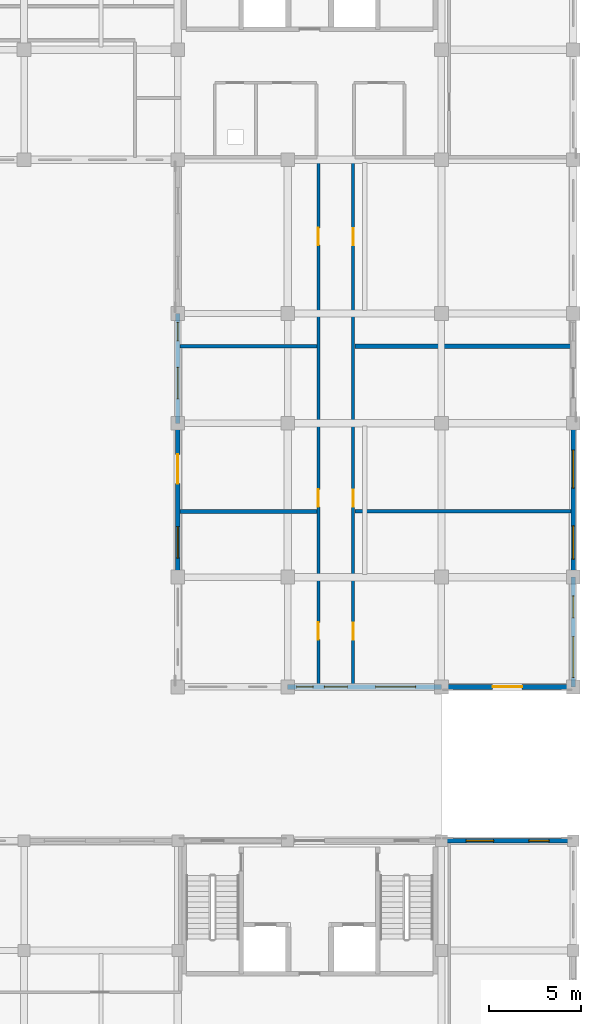
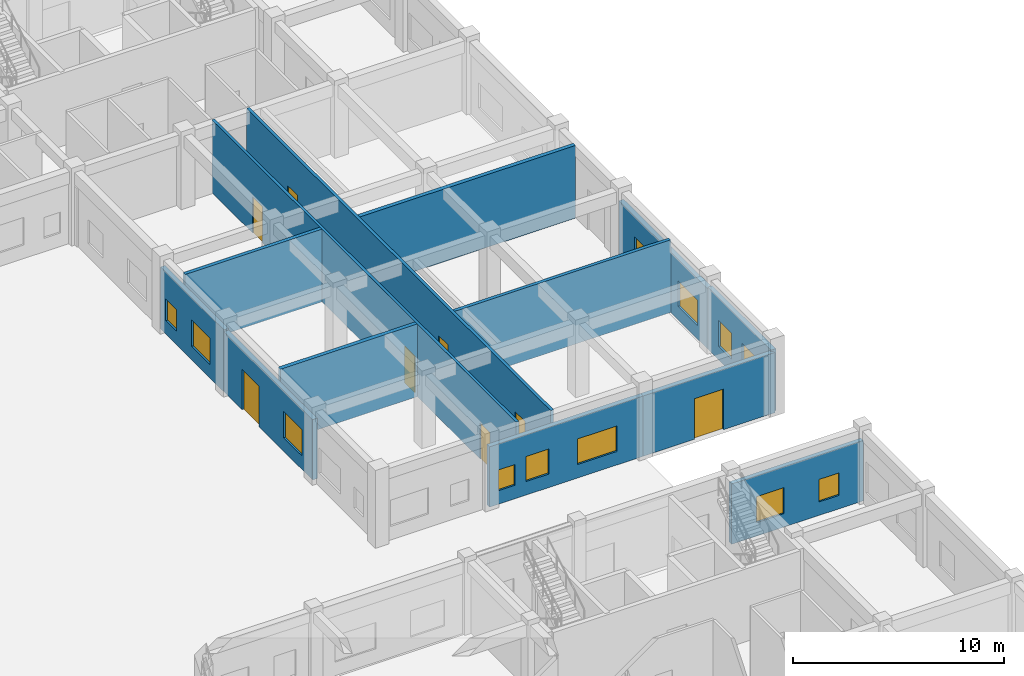
# One storey, part 46 of 67: 13 walls, 12 windows, 8 doors, 20 openings.
"""IFC4 building model written with IfcOpenShell, lengths in metres."""

from ifc_helpers import new_model, si_unit, direction, frame, frame_2d, origin, place, context, subcontext, project, spatial, rectangle, extrude, material, layer, layer_set, type_object, element, fill, save


model = new_model("IFC4")

# Units and contexts
model_context = context("Model", 3, precision=1e-05, world=origin(), true_north=direction((0.0, 1.0)))
body_context = subcontext(model_context, "Body", "Model", "MODEL_VIEW")
ifc_project = project(units=[si_unit("LENGTHUNIT", "METRE"), si_unit("AREAUNIT", "SQUARE_METRE"), si_unit("VOLUMEUNIT", "CUBIC_METRE"), si_unit("PLANEANGLEUNIT", "RADIAN"), si_unit("MASSUNIT", "GRAM", prefix="KILO"), si_unit("THERMODYNAMICTEMPERATUREUNIT", "KELVIN")], contexts=[model_context])

# Site, building, storey
site_placement = place(None, origin())
site = spatial("IfcSite", under=ifc_project, at=site_placement, CompositionType="ELEMENT")
building_placement = place(site_placement, origin())
building = spatial("IfcBuilding", under=site, at=building_placement, Name="Thalorik Housing Commons", CompositionType="ELEMENT")
storey_placement = place(building_placement, origin())
storey = spatial("IfcBuildingStorey", under=building, at=storey_placement, Name="L00", CompositionType="ELEMENT", Elevation=0.0)

# Wall, openings, doors
ifc_material_1 = material(Name="Masonry fire-rated corridor wall", Category="masonry")
ifc_layer_1 = layer(ifc_material_1, 0.14990234375, Name="Masonry fire-rated corridor wall", Category="masonry")
ifc_layer_set_1 = layer_set([ifc_layer_1], Name="Masonry fire-rated corridor wall")
wall_type_1 = type_object("IfcWallType", Name="ARC-WAL-CORR-150", PredefinedType="PARTITIONING", material=ifc_layer_set_1)
wall_1_placement = place(storey_placement, frame((160.080078125, 80.529541015625, 0.0), z_axis=(0.0, 0.0, 1.0), x_axis=(0.0, 1.0, 0.0)))
wall_1 = element("IfcWall", 1, at=wall_1_placement, inside=storey, type_object=wall_type_1, Name="L00 Block B E Corridor Wall 1", PredefinedType="PARTITIONING", context=body_context, shape_type="SweptSolid", body=[
    extrude(rectangle(XDim=28.810546875, YDim=0.14990234375, at=frame_2d((14.4052734375, 0.0))), origin(), (0.0, 0.0, 1.0), 4.199951171875),
])
opening_1_placement = place(wall_1_placement, frame((2.452880859375, 0.0, 0.0)))
opening_1 = element("IfcOpeningElement", 2, at=opening_1_placement, cuts=wall_1, Name="Opening ID-1004", PredefinedType="OPENING", context=body_context, shape_type="SweptSolid", body=[
    extrude(rectangle(XDim=0.949951171875, YDim=2.10009765625, at=frame_2d((0.47509765625, 1.050048828125))), frame((0.0, 0.0849609375, 0.0), z_axis=(0.0, -1.0, 0.0), x_axis=(1.0, 0.0, 0.0)), (0.0, 0.0, 1.0), 0.169921875),
])
opening_2_placement = place(wall_1_placement, frame((9.71044921875, 0.0, 0.0)))
opening_2 = element("IfcOpeningElement", 3, at=opening_2_placement, cuts=wall_1, Name="Opening ID-1005", PredefinedType="OPENING", context=body_context, shape_type="SweptSolid", body=[
    extrude(rectangle(XDim=0.949951171875, YDim=2.10009765625, at=frame_2d((0.47509765625, 1.050048828125))), frame((0.0, 0.0849609375, 0.0), z_axis=(0.0, -1.0, 0.0), x_axis=(1.0, 0.0, 0.0)), (0.0, 0.0, 1.0), 0.169921875),
])
opening_3_placement = place(wall_1_placement, frame((24.0029296875, 0.0, 0.0)))
opening_3 = element("IfcOpeningElement", 4, at=opening_3_placement, cuts=wall_1, Name="Opening ID-1006", PredefinedType="OPENING", context=body_context, shape_type="SweptSolid", body=[
    extrude(rectangle(XDim=0.949951171875, YDim=2.10009765625, at=frame_2d((0.47509765625, 1.050048828125))), frame((0.0, 0.0849609375, 0.0), z_axis=(0.0, -1.0, 0.0), x_axis=(1.0, 0.0, 0.0)), (0.0, 0.0, 1.0), 0.169921875),
])
ifc_material_2 = material(Name="Steel S355", Category="steel")
door_type_1 = type_object("IfcDoorType", Name="ARC-DR-FD60-950", OperationType="NOTDEFINED", PredefinedType="DOOR", material=ifc_material_2)
door_1_placement = place(opening_1_placement, origin())
door_1 = element("IfcDoor", 5, at=door_1_placement, inside=storey, type_object=door_type_1, Name="L00 Residents Lounge Entrance Door", OperationType="SINGLE_SWING_LEFT", OverallHeight=2.10009765625, OverallWidth=0.949951171875, PredefinedType="DOOR", context=body_context, shape_type="SweptSolid", body=[
    extrude(rectangle(XDim=0.949951171875, YDim=2.10009765625, at=frame_2d((0.47509765625, 1.050048828125))), frame((0.0, 0.02490234375, 0.0), z_axis=(0.0, -1.0, 0.0), x_axis=(1.0, 0.0, 0.0)), (0.0, 0.0, 1.0), 0.050048828125),
])
fill(opening_1, door_1)
door_2_placement = place(opening_2_placement, origin())
door_2 = element("IfcDoor", 6, at=door_2_placement, inside=storey, type_object=door_type_1, Name="L00 Bicycle Repair Workshop Entrance Door", OperationType="SINGLE_SWING_RIGHT", OverallHeight=2.10009765625, OverallWidth=0.949951171875, PredefinedType="DOOR", context=body_context, shape_type="SweptSolid", body=[
    extrude(rectangle(XDim=0.949951171875, YDim=2.10009765625, at=frame_2d((0.47509765625, 1.050048828125))), frame((0.0, 0.02490234375, 0.0), z_axis=(0.0, -1.0, 0.0), x_axis=(1.0, 0.0, 0.0)), (0.0, 0.0, 1.0), 0.050048828125),
])
fill(opening_2, door_2)
door_3_placement = place(opening_3_placement, origin())
door_3 = element("IfcDoor", 7, at=door_3_placement, inside=storey, type_object=door_type_1, Name="L00 Cooperative Parcel Room Entrance Door", OperationType="SINGLE_SWING_LEFT", OverallHeight=2.10009765625, OverallWidth=0.949951171875, PredefinedType="DOOR", context=body_context, shape_type="SweptSolid", body=[
    extrude(rectangle(XDim=0.949951171875, YDim=2.10009765625, at=frame_2d((0.47509765625, 1.050048828125))), frame((0.0, 0.02490234375, 0.0), z_axis=(0.0, -1.0, 0.0), x_axis=(1.0, 0.0, 0.0)), (0.0, 0.0, 1.0), 0.050048828125),
])
fill(opening_3, door_3)

ifc_layer_2 = layer(ifc_material_1, 0.1650390625, Name="Masonry fire-rated corridor wall", Category="masonry")
ifc_layer_set_2 = layer_set([ifc_layer_2], Name="Masonry fire-rated corridor wall")
wall_type_2 = type_object("IfcWallType", Name="ARC-WAL-CORR-165", PredefinedType="PARTITIONING", material=ifc_layer_set_2)
wall_2_placement = place(storey_placement, frame((161.97998046875, 80.529541015625, 0.0), z_axis=(0.0, 0.0, 1.0), x_axis=(0.0, 1.0, 0.0)))
wall_2 = element("IfcWall", 8, at=wall_2_placement, inside=storey, type_object=wall_type_2, Name="L00 Block B E Corridor Wall 2", PredefinedType="PARTITIONING", context=body_context, shape_type="SweptSolid", body=[
    extrude(rectangle(XDim=28.810546875, YDim=0.1650390625, at=frame_2d((14.4052734375, 0.0))), origin(), (0.0, 0.0, 1.0), 4.199951171875),
])
opening_4_placement = place(wall_2_placement, frame((2.4501953125, 0.0, 0.0)))
opening_4 = element("IfcOpeningElement", 9, at=opening_4_placement, cuts=wall_2, Name="Opening ID-1007", PredefinedType="OPENING", context=body_context, shape_type="SweptSolid", body=[
    extrude(rectangle(XDim=0.919921875, YDim=2.10009765625, at=frame_2d((0.4599609375, 1.050048828125))), frame((0.0, 0.092529296875, 0.0), z_axis=(0.0, -1.0, 0.0), x_axis=(1.0, 0.0, 0.0)), (0.0, 0.0, 1.0), 0.18505859375),
])
opening_5_placement = place(wall_2_placement, frame((9.71044921875, 0.0, 0.0)))
opening_5 = element("IfcOpeningElement", 10, at=opening_5_placement, cuts=wall_2, Name="Opening ID-1008", PredefinedType="OPENING", context=body_context, shape_type="SweptSolid", body=[
    extrude(rectangle(XDim=0.919921875, YDim=2.10009765625, at=frame_2d((0.4599609375, 1.050048828125))), frame((0.0, 0.092529296875, 0.0), z_axis=(0.0, -1.0, 0.0), x_axis=(1.0, 0.0, 0.0)), (0.0, 0.0, 1.0), 0.18505859375),
])
opening_6_placement = place(wall_2_placement, frame((23.9970703125, 0.0, 0.0)))
opening_6 = element("IfcOpeningElement", 11, at=opening_6_placement, cuts=wall_2, Name="Opening ID-1009", PredefinedType="OPENING", context=body_context, shape_type="SweptSolid", body=[
    extrude(rectangle(XDim=0.919921875, YDim=2.10009765625, at=frame_2d((0.4599609375, 1.050048828125))), frame((0.0, 0.092529296875, 0.0), z_axis=(0.0, -1.0, 0.0), x_axis=(1.0, 0.0, 0.0)), (0.0, 0.0, 1.0), 0.18505859375),
])
ifc_material_3 = material(Name="Solid core hardwood timber", Category="wood")
door_type_2 = type_object("IfcDoorType", Name="ARC-DR-FD30-920", OperationType="NOTDEFINED", PredefinedType="DOOR", material=ifc_material_3)
door_4_placement = place(opening_4_placement, origin())
door_4 = element("IfcDoor", 12, at=door_4_placement, inside=storey, type_object=door_type_2, Name="L00 Residents Cooperative Library Door", OperationType="SINGLE_SWING_RIGHT", OverallHeight=2.10009765625, OverallWidth=0.919921875, PredefinedType="DOOR", context=body_context, shape_type="SweptSolid", body=[
    extrude(rectangle(XDim=0.919921875, YDim=2.10009765625, at=frame_2d((0.4599609375, 1.050048828125))), frame((0.0, 0.02490234375, 0.0), z_axis=(0.0, -1.0, 0.0), x_axis=(1.0, 0.0, 0.0)), (0.0, 0.0, 1.0), 0.050048828125),
])
fill(opening_4, door_4)
door_5_placement = place(opening_5_placement, origin())
door_5 = element("IfcDoor", 13, at=door_5_placement, inside=storey, type_object=door_type_2, Name="L00 Community Youth Studio Door", OperationType="SINGLE_SWING_LEFT", OverallHeight=2.10009765625, OverallWidth=0.919921875, PredefinedType="DOOR", context=body_context, shape_type="SweptSolid", body=[
    extrude(rectangle(XDim=0.919921875, YDim=2.10009765625, at=frame_2d((0.4599609375, 1.050048828125))), frame((0.0, 0.02490234375, 0.0), z_axis=(0.0, -1.0, 0.0), x_axis=(1.0, 0.0, 0.0)), (0.0, 0.0, 1.0), 0.050048828125),
])
fill(opening_5, door_5)
door_6_placement = place(opening_6_placement, origin())
door_6 = element("IfcDoor", 14, at=door_6_placement, inside=storey, type_object=door_type_2, Name="L00 Senior Day Lounge Door", OperationType="SINGLE_SWING_RIGHT", OverallHeight=2.10009765625, OverallWidth=0.919921875, PredefinedType="DOOR", context=body_context, shape_type="SweptSolid", body=[
    extrude(rectangle(XDim=0.919921875, YDim=2.10009765625, at=frame_2d((0.4599609375, 1.050048828125))), frame((0.0, 0.02490234375, 0.0), z_axis=(0.0, -1.0, 0.0), x_axis=(1.0, 0.0, 0.0)), (0.0, 0.0, 1.0), 0.050048828125),
])
fill(opening_6, door_6)

# Wall, openings, windows
ifc_material_4 = material(Name="White precast concrete C40/50", Category="concrete")
ifc_layer_3 = layer(ifc_material_4, 0.235107421875, Name="White precast concrete C40/50", Category="concrete")
ifc_layer_set_3 = layer_set([ifc_layer_3], Name="White precast concrete C40/50")
wall_type_3 = type_object("IfcWallType", Name="ARC-WAL-EXT-235", PredefinedType="STANDARD", material=ifc_layer_set_3)
wall_3_placement = place(storey_placement, frame((174.0, 72.0, 0.0), z_axis=(0.0, 0.0, 1.0), x_axis=(-1.0, 0.0, 0.0)))
wall_3 = element("IfcWall", 15, at=wall_3_placement, inside=storey, type_object=wall_type_3, Name="L00 Exterior Wall WAL-EXT-L00-D-1122", PredefinedType="STANDARD", context=body_context, shape_type="SweptSolid", body=[
    extrude(rectangle(XDim=7.199951171875, YDim=0.235107421875, at=frame_2d((3.60009765625, 0.0))), origin(), (0.0, 0.0, 1.0), 3.485107421875),
])
opening_7_placement = place(wall_3_placement, frame((1.322509765625, 0.0, 0.780029296875)))
opening_7 = element("IfcOpeningElement", 16, at=opening_7_placement, cuts=wall_3, Name="Opening W-03", PredefinedType="OPENING", context=body_context, shape_type="SweptSolid", body=[
    extrude(rectangle(XDim=1.10009765625, YDim=1.300048828125, at=frame_2d((0.550048828125, 0.64990234375))), frame((0.0, 0.12744140625, 0.0), z_axis=(0.0, -1.0, 0.0), x_axis=(1.0, 0.0, 0.0)), (0.0, 0.0, 1.0), 0.255126953125),
])
opening_8_placement = place(wall_3_placement, frame((4.347412109375, 0.0, 0.780029296875)))
opening_8 = element("IfcOpeningElement", 17, at=opening_8_placement, cuts=wall_3, Name="Opening W-10", PredefinedType="OPENING", context=body_context, shape_type="SweptSolid", body=[
    extrude(rectangle(XDim=1.5, YDim=1.5, at=frame_2d((0.75, 0.75))), frame((0.0, 0.12744140625, 0.0), z_axis=(0.0, -1.0, 0.0), x_axis=(1.0, 0.0, 0.0)), (0.0, 0.0, 1.0), 0.255126953125),
])
ifc_material_5 = material(Name="Anodised aluminium and solar-control low-E glass", Category="aluminium")
window_type_1 = type_object("IfcWindowType", Name="ARC-WIN-03", PartitioningType="SINGLE_PANEL", PredefinedType="WINDOW", material=ifc_material_5)
window_1_placement = place(opening_7_placement, origin())
window_1 = element("IfcWindow", 18, at=window_1_placement, inside=storey, type_object=window_type_1, Name="L00 Facade Window 2067", OverallHeight=1.300048828125, OverallWidth=1.10009765625, PartitioningType="SINGLE_PANEL", PredefinedType="WINDOW", context=body_context, shape_type="SweptSolid", body=[
    extrude(rectangle(XDim=1.10009765625, YDim=1.300048828125, at=frame_2d((0.550048828125, 0.64990234375))), frame((0.0, 0.030029296875, 0.0), z_axis=(0.0, -1.0, 0.0), x_axis=(1.0, 0.0, 0.0)), (0.0, 0.0, 1.0), 0.06005859375),
])
fill(opening_7, window_1)
window_type_2 = type_object("IfcWindowType", Name="ARC-WIN-10", PartitioningType="SINGLE_PANEL", PredefinedType="WINDOW", material=ifc_material_5)
window_2_placement = place(opening_8_placement, origin())
window_2 = element("IfcWindow", 19, at=window_2_placement, inside=storey, type_object=window_type_2, Name="L00 Facade Window 2068", OverallHeight=1.5, OverallWidth=1.5, PartitioningType="SINGLE_PANEL", PredefinedType="WINDOW", context=body_context, shape_type="SweptSolid", body=[
    extrude(rectangle(XDim=1.5, YDim=1.5, at=frame_2d((0.75, 0.75))), frame((0.0, 0.030029296875, 0.0), z_axis=(0.0, -1.0, 0.0), x_axis=(1.0, 0.0, 0.0)), (0.0, 0.0, 1.0), 0.06005859375),
])
fill(opening_8, window_2)

ifc_layer_4 = layer(ifc_material_4, 0.2548828125, Name="White precast concrete C40/50", Category="concrete")
ifc_layer_set_4 = layer_set([ifc_layer_4], Name="White precast concrete C40/50")
wall_type_4 = type_object("IfcWallType", Name="ARC-WAL-EXT-255", PredefinedType="STANDARD", material=ifc_layer_set_4)
wall_4_placement = place(storey_placement, frame((152.39990234375, 100.800048828125, 0.0), z_axis=(0.0, 0.0, 1.0), x_axis=(0.0, -1.0, 0.0)))
wall_4 = element("IfcWall", 20, at=wall_4_placement, inside=storey, type_object=wall_type_4, Name="L00 Exterior Wall WAL-EXT-L00-B-0397", PredefinedType="STANDARD", context=body_context, shape_type="SweptSolid", body=[
    extrude(rectangle(XDim=6.0, YDim=0.2548828125, at=frame_2d((3.0, 0.0))), origin(), (0.0, 0.0, 1.0), 3.5849609375),
])
opening_9_placement = place(wall_4_placement, frame((0.489990234375, 0.0, 0.780029296875)))
opening_9 = element("IfcOpeningElement", 21, at=opening_9_placement, cuts=wall_4, Name="Opening W-02", PredefinedType="OPENING", context=body_context, shape_type="SweptSolid", body=[
    extrude(rectangle(XDim=1.0, YDim=1.25, at=frame_2d((0.5, 0.625))), frame((0.0, 0.137451171875, 0.0), z_axis=(0.0, -1.0, 0.0), x_axis=(1.0, 0.0, 0.0)), (0.0, 0.0, 1.0), 0.27490234375),
])
opening_10_placement = place(wall_4_placement, frame((2.93994140625, 0.0, 0.780029296875)))
opening_10 = element("IfcOpeningElement", 22, at=opening_10_placement, cuts=wall_4, Name="Opening W-56", PredefinedType="OPENING", context=body_context, shape_type="SweptSolid", body=[
    extrude(rectangle(XDim=1.719970703125, YDim=1.52001953125, at=frame_2d((0.85986328125, 0.760009765625))), frame((0.0, 0.137451171875, 0.0), z_axis=(0.0, -1.0, 0.0), x_axis=(1.0, 0.0, 0.0)), (0.0, 0.0, 1.0), 0.27490234375),
])
window_type_3 = type_object("IfcWindowType", Name="ARC-WIN-02", PartitioningType="SINGLE_PANEL", PredefinedType="WINDOW", material=ifc_material_5)
window_3_placement = place(opening_9_placement, origin())
window_3 = element("IfcWindow", 23, at=window_3_placement, inside=storey, type_object=window_type_3, Name="L00 Facade Window 709", OverallHeight=1.25, OverallWidth=1.0, PartitioningType="SINGLE_PANEL", PredefinedType="WINDOW", context=body_context, shape_type="SweptSolid", body=[
    extrude(rectangle(XDim=1.0, YDim=1.25, at=frame_2d((0.5, 0.625))), frame((0.0, 0.030029296875, 0.0), z_axis=(0.0, -1.0, 0.0), x_axis=(1.0, 0.0, 0.0)), (0.0, 0.0, 1.0), 0.06005859375),
])
fill(opening_9, window_3)
window_type_4 = type_object("IfcWindowType", Name="ARC-WIN-56", PartitioningType="DOUBLE_PANEL_VERTICAL", PredefinedType="WINDOW", material=ifc_material_5)
window_4_placement = place(opening_10_placement, origin())
window_4 = element("IfcWindow", 24, at=window_4_placement, inside=storey, type_object=window_type_4, Name="L00 Facade Window 710", OverallHeight=1.52001953125, OverallWidth=1.719970703125, PartitioningType="DOUBLE_PANEL_VERTICAL", PredefinedType="WINDOW", context=body_context, shape_type="SweptSolid", body=[
    extrude(rectangle(XDim=1.719970703125, YDim=1.52001953125, at=frame_2d((0.85986328125, 0.760009765625))), frame((0.0, 0.030029296875, 0.0), z_axis=(0.0, -1.0, 0.0), x_axis=(1.0, 0.0, 0.0)), (0.0, 0.0, 1.0), 0.06005859375),
])
fill(opening_10, window_4)

# Wall, openings, door, window
wall_5_placement = place(storey_placement, frame((152.39990234375, 94.800048828125, 0.0), z_axis=(0.0, 0.0, 1.0), x_axis=(0.0, -1.0, 0.0)))
wall_5 = element("IfcWall", 25, at=wall_5_placement, inside=storey, type_object=wall_type_4, Name="L00 Exterior Wall WAL-EXT-L00-B-0398", PredefinedType="STANDARD", context=body_context, shape_type="SweptSolid", body=[
    extrude(rectangle(XDim=8.400146484375, YDim=0.2548828125, at=frame_2d((4.2001953125, 0.0))), origin(), (0.0, 0.0, 1.0), 3.485107421875),
])
opening_11_placement = place(wall_5_placement, frame((1.699951171875, 0.0, 0.0)))
opening_11 = element("IfcOpeningElement", 26, at=opening_11_placement, cuts=wall_5, Name="Opening ED-0120", PredefinedType="OPENING", context=body_context, shape_type="SweptSolid", body=[
    extrude(rectangle(XDim=1.60009765625, YDim=2.35009765625, at=frame_2d((0.800048828125, 1.175048828125))), frame((0.0, 0.137451171875, 0.0), z_axis=(0.0, -1.0, 0.0), x_axis=(1.0, 0.0, 0.0)), (0.0, 0.0, 1.0), 0.27490234375),
])
opening_12_placement = place(wall_5_placement, frame((5.64990234375, 0.0, 0.780029296875)))
opening_12 = element("IfcOpeningElement", 27, at=opening_12_placement, cuts=wall_5, Name="Opening W-56", PredefinedType="OPENING", context=body_context, shape_type="SweptSolid", body=[
    extrude(rectangle(XDim=1.719970703125, YDim=1.52001953125, at=frame_2d((0.85986328125, 0.760009765625))), frame((0.0, 0.137451171875, 0.0), z_axis=(0.0, -1.0, 0.0), x_axis=(1.0, 0.0, 0.0)), (0.0, 0.0, 1.0), 0.27490234375),
])
ifc_material_6 = material(Name="Anodised aluminium and laminated safety glass", Category="aluminium")
door_type_3 = type_object("IfcDoorType", Name="ARC-DR-EXT-LOB-1600", OperationType="NOTDEFINED", PredefinedType="DOOR", material=ifc_material_6)
door_7_placement = place(opening_11_placement, frame((1.60009765625, 0.0, 0.0), z_axis=(0.0, 0.0, 1.0), x_axis=(-1.0, 0.0, 0.0)))
door_7 = element("IfcDoor", 28, at=door_7_placement, inside=storey, type_object=door_type_3, Name="L00 Block B Courtyard Entrance Door", OperationType="DOUBLE_DOOR_SINGLE_SWING", OverallHeight=2.35009765625, OverallWidth=1.60009765625, PredefinedType="DOOR", context=body_context, shape_type="SweptSolid", body=[
    extrude(rectangle(XDim=1.60009765625, YDim=2.35009765625, at=frame_2d((0.800048828125, 1.175048828125))), frame((0.0, 0.02490234375, 0.0), z_axis=(0.0, -1.0, 0.0), x_axis=(1.0, 0.0, 0.0)), (0.0, 0.0, 1.0), 0.050048828125),
])
fill(opening_11, door_7)
window_5_placement = place(opening_12_placement, origin())
window_5 = element("IfcWindow", 29, at=window_5_placement, inside=storey, type_object=window_type_4, Name="L00 Facade Window 711", OverallHeight=1.52001953125, OverallWidth=1.719970703125, PartitioningType="DOUBLE_PANEL_VERTICAL", PredefinedType="WINDOW", context=body_context, shape_type="SweptSolid", body=[
    extrude(rectangle(XDim=1.719970703125, YDim=1.52001953125, at=frame_2d((0.85986328125, 0.760009765625))), frame((0.0, 0.030029296875, 0.0), z_axis=(0.0, -1.0, 0.0), x_axis=(1.0, 0.0, 0.0)), (0.0, 0.0, 1.0), 0.06005859375),
])
fill(opening_12, window_5)

# Wall, openings, windows
wall_6_placement = place(storey_placement, frame((158.39990234375, 80.39990234375, 0.0), z_axis=(0.0, 0.0, 1.0), x_axis=(1.0, 0.0, 0.0)))
wall_6 = element("IfcWall", 30, at=wall_6_placement, inside=storey, type_object=wall_type_4, Name="L00 Exterior Wall WAL-EXT-L00-B-0401", PredefinedType="STANDARD", context=body_context, shape_type="SweptSolid", body=[
    extrude(rectangle(XDim=8.400146484375, YDim=0.2548828125, at=frame_2d((4.2001953125, 0.0))), origin(), (0.0, 0.0, 1.0), 3.485107421875),
])
opening_13_placement = place(wall_6_placement, frame((0.485107421875, 0.0, 0.780029296875)))
opening_13 = element("IfcOpeningElement", 31, at=opening_13_placement, cuts=wall_6, Name="Opening W-01", PredefinedType="OPENING", context=body_context, shape_type="SweptSolid", body=[
    extrude(rectangle(XDim=0.89990234375, YDim=1.199951171875, at=frame_2d((0.449951171875, 0.60009765625))), frame((0.0, 0.137451171875, 0.0), z_axis=(0.0, -1.0, 0.0), x_axis=(1.0, 0.0, 0.0)), (0.0, 0.0, 1.0), 0.27490234375),
])
opening_14_placement = place(wall_6_placement, frame((2.0048828125, 0.0, 0.780029296875)))
opening_14 = element("IfcOpeningElement", 32, at=opening_14_placement, cuts=wall_6, Name="Opening W-47", PredefinedType="OPENING", context=body_context, shape_type="SweptSolid", body=[
    extrude(rectangle(XDim=1.25, YDim=1.449951171875, at=frame_2d((0.625, 0.72509765625))), frame((0.0, 0.137451171875, 0.0), z_axis=(0.0, -1.0, 0.0), x_axis=(1.0, 0.0, 0.0)), (0.0, 0.0, 1.0), 0.27490234375),
])
opening_15_placement = place(wall_6_placement, frame((4.804931640625, 0.0, 0.780029296875)))
opening_15 = element("IfcOpeningElement", 33, at=opening_15_placement, cuts=wall_6, Name="Opening W-65", PredefinedType="OPENING", context=body_context, shape_type="SweptSolid", body=[
    extrude(rectangle(XDim=2.179931640625, YDim=1.47998046875, at=frame_2d((1.08984375, 0.739990234375))), frame((0.0, 0.137451171875, 0.0), z_axis=(0.0, -1.0, 0.0), x_axis=(1.0, 0.0, 0.0)), (0.0, 0.0, 1.0), 0.27490234375),
])
window_type_5 = type_object("IfcWindowType", Name="ARC-WIN-01", PartitioningType="SINGLE_PANEL", PredefinedType="WINDOW", material=ifc_material_5)
window_6_placement = place(opening_13_placement, origin())
window_6 = element("IfcWindow", 34, at=window_6_placement, inside=storey, type_object=window_type_5, Name="L00 Facade Window 716", OverallHeight=1.199951171875, OverallWidth=0.89990234375, PartitioningType="SINGLE_PANEL", PredefinedType="WINDOW", context=body_context, shape_type="SweptSolid", body=[
    extrude(rectangle(XDim=0.89990234375, YDim=1.199951171875, at=frame_2d((0.449951171875, 0.60009765625))), frame((0.0, 0.030029296875, 0.0), z_axis=(0.0, -1.0, 0.0), x_axis=(1.0, 0.0, 0.0)), (0.0, 0.0, 1.0), 0.06005859375),
])
fill(opening_13, window_6)
window_type_6 = type_object("IfcWindowType", Name="ARC-WIN-47", PartitioningType="SINGLE_PANEL", PredefinedType="WINDOW", material=ifc_material_5)
window_7_placement = place(opening_14_placement, origin())
window_7 = element("IfcWindow", 35, at=window_7_placement, inside=storey, type_object=window_type_6, Name="L00 Facade Window 717", OverallHeight=1.449951171875, OverallWidth=1.25, PartitioningType="SINGLE_PANEL", PredefinedType="WINDOW", context=body_context, shape_type="SweptSolid", body=[
    extrude(rectangle(XDim=1.25, YDim=1.449951171875, at=frame_2d((0.625, 0.72509765625))), frame((0.0, 0.030029296875, 0.0), z_axis=(0.0, -1.0, 0.0), x_axis=(1.0, 0.0, 0.0)), (0.0, 0.0, 1.0), 0.06005859375),
])
fill(opening_14, window_7)
window_type_7 = type_object("IfcWindowType", Name="ARC-WIN-65", PartitioningType="DOUBLE_PANEL_VERTICAL", PredefinedType="WINDOW", material=ifc_material_5)
window_8_placement = place(opening_15_placement, origin())
window_8 = element("IfcWindow", 36, at=window_8_placement, inside=storey, type_object=window_type_7, Name="L00 Facade Window 718", OverallHeight=1.47998046875, OverallWidth=2.179931640625, PartitioningType="DOUBLE_PANEL_VERTICAL", PredefinedType="WINDOW", context=body_context, shape_type="SweptSolid", body=[
    extrude(rectangle(XDim=2.179931640625, YDim=1.47998046875, at=frame_2d((1.08984375, 0.739990234375))), frame((0.0, 0.030029296875, 0.0), z_axis=(0.0, -1.0, 0.0), x_axis=(1.0, 0.0, 0.0)), (0.0, 0.0, 1.0), 0.06005859375),
])
fill(opening_15, window_8)

# Wall, opening, door
wall_7_placement = place(storey_placement, frame((166.800048828125, 80.39990234375, 0.0), z_axis=(0.0, 0.0, 1.0), x_axis=(1.0, 0.0, 0.0)))
wall_7 = element("IfcWall", 37, at=wall_7_placement, inside=storey, type_object=wall_type_4, Name="L00 Exterior Wall WAL-EXT-L00-B-0402", PredefinedType="STANDARD", context=body_context, shape_type="SweptSolid", body=[
    extrude(rectangle(XDim=7.199951171875, YDim=0.2548828125, at=frame_2d((3.60009765625, 0.0))), origin(), (0.0, 0.0, 1.0), 3.485107421875),
])
opening_16_placement = place(wall_7_placement, frame((2.800048828125, 0.0, 0.0)))
opening_16 = element("IfcOpeningElement", 38, at=opening_16_placement, cuts=wall_7, Name="Opening ED-0121", PredefinedType="OPENING", context=body_context, shape_type="SweptSolid", body=[
    extrude(rectangle(XDim=1.60009765625, YDim=2.35009765625, at=frame_2d((0.800048828125, 1.175048828125))), frame((0.0, 0.137451171875, 0.0), z_axis=(0.0, -1.0, 0.0), x_axis=(1.0, 0.0, 0.0)), (0.0, 0.0, 1.0), 0.27490234375),
])
door_8_placement = place(opening_16_placement, frame((1.60009765625, 0.0, 0.0), z_axis=(0.0, 0.0, 1.0), x_axis=(-1.0, 0.0, 0.0)))
door_8 = element("IfcDoor", 39, at=door_8_placement, inside=storey, type_object=door_type_3, Name="L00 Block B Courtyard Entrance Door", OperationType="DOUBLE_DOOR_SINGLE_SWING", OverallHeight=2.35009765625, OverallWidth=1.60009765625, PredefinedType="DOOR", context=body_context, shape_type="SweptSolid", body=[
    extrude(rectangle(XDim=1.60009765625, YDim=2.35009765625, at=frame_2d((0.800048828125, 1.175048828125))), frame((0.0, 0.02490234375, 0.0), z_axis=(0.0, -1.0, 0.0), x_axis=(1.0, 0.0, 0.0)), (0.0, 0.0, 1.0), 0.050048828125),
])
fill(opening_16, door_8)

# Wall, openings, windows
wall_8_placement = place(storey_placement, frame((174.0, 80.39990234375, 0.0), z_axis=(0.0, 0.0, 1.0), x_axis=(0.0, 1.0, 0.0)))
wall_8 = element("IfcWall", 40, at=wall_8_placement, inside=storey, type_object=wall_type_4, Name="L00 Exterior Wall WAL-EXT-L00-B-0403", PredefinedType="STANDARD", context=body_context, shape_type="SweptSolid", body=[
    extrude(rectangle(XDim=6.0, YDim=0.2548828125, at=frame_2d((3.0, 0.0))), origin(), (0.0, 0.0, 1.0), 3.5849609375),
])
opening_17_placement = place(wall_8_placement, frame((0.510009765625, 0.0, 0.780029296875)))
opening_17 = element("IfcOpeningElement", 41, at=opening_17_placement, cuts=wall_8, Name="Opening W-66", PredefinedType="OPENING", context=body_context, shape_type="SweptSolid", body=[
    extrude(rectangle(XDim=2.239990234375, YDim=1.52001953125, at=frame_2d((1.1201171875, 0.760009765625))), frame((0.0, 0.137451171875, 0.0), z_axis=(0.0, -1.0, 0.0), x_axis=(1.0, 0.0, 0.0)), (0.0, 0.0, 1.0), 0.27490234375),
])
opening_18_placement = place(wall_8_placement, frame((3.77001953125, 0.0, 0.780029296875)))
opening_18 = element("IfcOpeningElement", 42, at=opening_18_placement, cuts=wall_8, Name="Opening W-05", PredefinedType="OPENING", context=body_context, shape_type="SweptSolid", body=[
    extrude(rectangle(XDim=1.199951171875, YDim=1.5, at=frame_2d((0.60009765625, 0.75))), frame((0.0, 0.137451171875, 0.0), z_axis=(0.0, -1.0, 0.0), x_axis=(1.0, 0.0, 0.0)), (0.0, 0.0, 1.0), 0.27490234375),
])
window_type_8 = type_object("IfcWindowType", Name="ARC-WIN-05", PartitioningType="SINGLE_PANEL", PredefinedType="WINDOW", material=ifc_material_5)
window_9_placement = place(opening_18_placement, origin())
window_9 = element("IfcWindow", 43, at=window_9_placement, inside=storey, type_object=window_type_8, Name="L00 Facade Window 720", OverallHeight=1.5, OverallWidth=1.199951171875, PartitioningType="SINGLE_PANEL", PredefinedType="WINDOW", context=body_context, shape_type="SweptSolid", body=[
    extrude(rectangle(XDim=1.199951171875, YDim=1.5, at=frame_2d((0.60009765625, 0.75))), frame((0.0, 0.030029296875, 0.0), z_axis=(0.0, -1.0, 0.0), x_axis=(1.0, 0.0, 0.0)), (0.0, 0.0, 1.0), 0.06005859375),
])
fill(opening_18, window_9)
window_type_9 = type_object("IfcWindowType", Name="ARC-WIN-66", PartitioningType="DOUBLE_PANEL_VERTICAL", PredefinedType="WINDOW", material=ifc_material_5)
window_10_placement = place(opening_17_placement, origin())
window_10 = element("IfcWindow", 44, at=window_10_placement, inside=storey, type_object=window_type_9, Name="L00 Facade Window 719", OverallHeight=1.52001953125, OverallWidth=2.239990234375, PartitioningType="DOUBLE_PANEL_VERTICAL", PredefinedType="WINDOW", context=body_context, shape_type="SweptSolid", body=[
    extrude(rectangle(XDim=2.239990234375, YDim=1.52001953125, at=frame_2d((1.1201171875, 0.760009765625))), frame((0.0, 0.030029296875, 0.0), z_axis=(0.0, -1.0, 0.0), x_axis=(1.0, 0.0, 0.0)), (0.0, 0.0, 1.0), 0.06005859375),
])
fill(opening_17, window_10)

wall_9_placement = place(storey_placement, frame((174.0, 86.39990234375, 0.0), z_axis=(0.0, 0.0, 1.0), x_axis=(0.0, 1.0, 0.0)))
wall_9 = element("IfcWall", 45, at=wall_9_placement, inside=storey, type_object=wall_type_4, Name="L00 Exterior Wall WAL-EXT-L00-B-0404", PredefinedType="STANDARD", context=body_context, shape_type="SweptSolid", body=[
    extrude(rectangle(XDim=8.400146484375, YDim=0.2548828125, at=frame_2d((4.2001953125, 0.0))), origin(), (0.0, 0.0, 1.0), 3.485107421875),
])
opening_19_placement = place(wall_9_placement, frame((0.97998046875, 0.0, 0.780029296875)))
opening_19 = element("IfcOpeningElement", 46, at=opening_19_placement, cuts=wall_9, Name="Opening W-58", PredefinedType="OPENING", context=body_context, shape_type="SweptSolid", body=[
    extrude(rectangle(XDim=1.820068359375, YDim=1.4599609375, at=frame_2d((0.91015625, 0.72998046875))), frame((0.0, 0.137451171875, 0.0), z_axis=(0.0, -1.0, 0.0), x_axis=(1.0, 0.0, 0.0)), (0.0, 0.0, 1.0), 0.27490234375),
])
opening_20_placement = place(wall_9_placement, frame((4.860107421875, 0.0, 0.780029296875)))
opening_20 = element("IfcOpeningElement", 47, at=opening_20_placement, cuts=wall_9, Name="Opening W-63", PredefinedType="OPENING", context=body_context, shape_type="SweptSolid", body=[
    extrude(rectangle(XDim=2.080078125, YDim=1.52001953125, at=frame_2d((1.0400390625, 0.760009765625))), frame((0.0, 0.137451171875, 0.0), z_axis=(0.0, -1.0, 0.0), x_axis=(1.0, 0.0, 0.0)), (0.0, 0.0, 1.0), 0.27490234375),
])
window_type_10 = type_object("IfcWindowType", Name="ARC-WIN-58", PartitioningType="DOUBLE_PANEL_VERTICAL", PredefinedType="WINDOW", material=ifc_material_5)
window_11_placement = place(opening_19_placement, origin())
window_11 = element("IfcWindow", 48, at=window_11_placement, inside=storey, type_object=window_type_10, Name="L00 Facade Window 721", OverallHeight=1.4599609375, OverallWidth=1.820068359375, PartitioningType="DOUBLE_PANEL_VERTICAL", PredefinedType="WINDOW", context=body_context, shape_type="SweptSolid", body=[
    extrude(rectangle(XDim=1.820068359375, YDim=1.4599609375, at=frame_2d((0.91015625, 0.72998046875))), frame((0.0, 0.030029296875, 0.0), z_axis=(0.0, -1.0, 0.0), x_axis=(1.0, 0.0, 0.0)), (0.0, 0.0, 1.0), 0.06005859375),
])
fill(opening_19, window_11)
window_type_11 = type_object("IfcWindowType", Name="ARC-WIN-63", PartitioningType="DOUBLE_PANEL_VERTICAL", PredefinedType="WINDOW", material=ifc_material_5)
window_12_placement = place(opening_20_placement, origin())
window_12 = element("IfcWindow", 49, at=window_12_placement, inside=storey, type_object=window_type_11, Name="L00 Facade Window 722", OverallHeight=1.52001953125, OverallWidth=2.080078125, PartitioningType="DOUBLE_PANEL_VERTICAL", PredefinedType="WINDOW", context=body_context, shape_type="SweptSolid", body=[
    extrude(rectangle(XDim=2.080078125, YDim=1.52001953125, at=frame_2d((1.0400390625, 0.760009765625))), frame((0.0, 0.030029296875, 0.0), z_axis=(0.0, -1.0, 0.0), x_axis=(1.0, 0.0, 0.0)), (0.0, 0.0, 1.0), 0.06005859375),
])
fill(opening_20, window_12)

# Walls
ifc_material_7 = material(Name="Masonry acoustic blockwork wall", Category="masonry")
ifc_layer_5 = layer(ifc_material_7, 0.18505859375, Name="Masonry acoustic blockwork wall", Category="masonry")
ifc_layer_set_5 = layer_set([ifc_layer_5], Name="Masonry acoustic blockwork wall")
wall_type_5 = type_object("IfcWallType", Name="ARC-WAL-PARTY-185", PredefinedType="PARTITIONING", material=ifc_layer_set_5)
wall_10_placement = place(storey_placement, frame((162.064453125, 89.989990234375, 0.0), z_axis=(0.0, 0.0, 1.0), x_axis=(1.0, 0.0, 0.0)))
element("IfcWall", 50, at=wall_10_placement, inside=storey, type_object=wall_type_5, Name="L00 Inter-Tenancy Wall 1B", PredefinedType="PARTITIONING", context=body_context, shape_type="SweptSolid", body=[
    extrude(rectangle(XDim=11.80615234375, YDim=0.18505859375, at=frame_2d((5.903076171875, 0.0))), origin(), (0.0, 0.0, 1.0), 4.199951171875),
])
ifc_material_8 = material(Name="Precast concrete C40/50 acoustic wall", Category="concrete")
ifc_layer_6 = layer(ifc_material_8, 0.199951171875, Name="Precast concrete C40/50 acoustic wall", Category="concrete")
ifc_layer_set_6 = layer_set([ifc_layer_6], Name="Precast concrete C40/50 acoustic wall")
wall_type_6 = type_object("IfcWallType", Name="ARC-WAL-PARTY-200", PredefinedType="PARTITIONING", material=ifc_layer_set_6)
wall_11_placement = place(storey_placement, frame((152.529541015625, 99.010009765625, 0.0), z_axis=(0.0, 0.0, 1.0), x_axis=(1.0, 0.0, 0.0)))
element("IfcWall", 51, at=wall_11_placement, inside=storey, type_object=wall_type_6, Name="L00 Inter-Tenancy Wall 2A", PredefinedType="PARTITIONING", context=body_context, shape_type="SweptSolid", body=[
    extrude(rectangle(XDim=7.473388671875, YDim=0.199951171875, at=frame_2d((3.73681640625, 0.0))), origin(), (0.0, 0.0, 1.0), 4.199951171875),
])
ifc_layer_7 = layer(ifc_material_8, 0.219970703125, Name="Precast concrete C40/50 acoustic wall", Category="concrete")
ifc_layer_set_7 = layer_set([ifc_layer_7], Name="Precast concrete C40/50 acoustic wall")
wall_type_7 = type_object("IfcWallType", Name="ARC-WAL-PARTY-220", PredefinedType="PARTITIONING", material=ifc_layer_set_7)
wall_12_placement = place(storey_placement, frame((152.529541015625, 89.989990234375, 0.0), z_axis=(0.0, 0.0, 1.0), x_axis=(1.0, 0.0, 0.0)))
element("IfcWall", 52, at=wall_12_placement, inside=storey, type_object=wall_type_7, Name="L00 Inter-Tenancy Wall 1A", PredefinedType="PARTITIONING", context=body_context, shape_type="SweptSolid", body=[
    extrude(rectangle(XDim=7.473388671875, YDim=0.219970703125, at=frame_2d((3.73681640625, 0.0))), origin(), (0.0, 0.0, 1.0), 4.199951171875),
])
wall_13_placement = place(storey_placement, frame((162.064453125, 99.010009765625, 0.0), z_axis=(0.0, 0.0, 1.0), x_axis=(1.0, 0.0, 0.0)))
element("IfcWall", 53, at=wall_13_placement, inside=storey, type_object=wall_type_7, Name="L00 Inter-Tenancy Wall 2B", PredefinedType="PARTITIONING", context=body_context, shape_type="SweptSolid", body=[
    extrude(rectangle(XDim=11.80615234375, YDim=0.219970703125, at=frame_2d((5.903076171875, 0.0))), origin(), (0.0, 0.0, 1.0), 4.199951171875),
])

save(model, "model.ifc")
